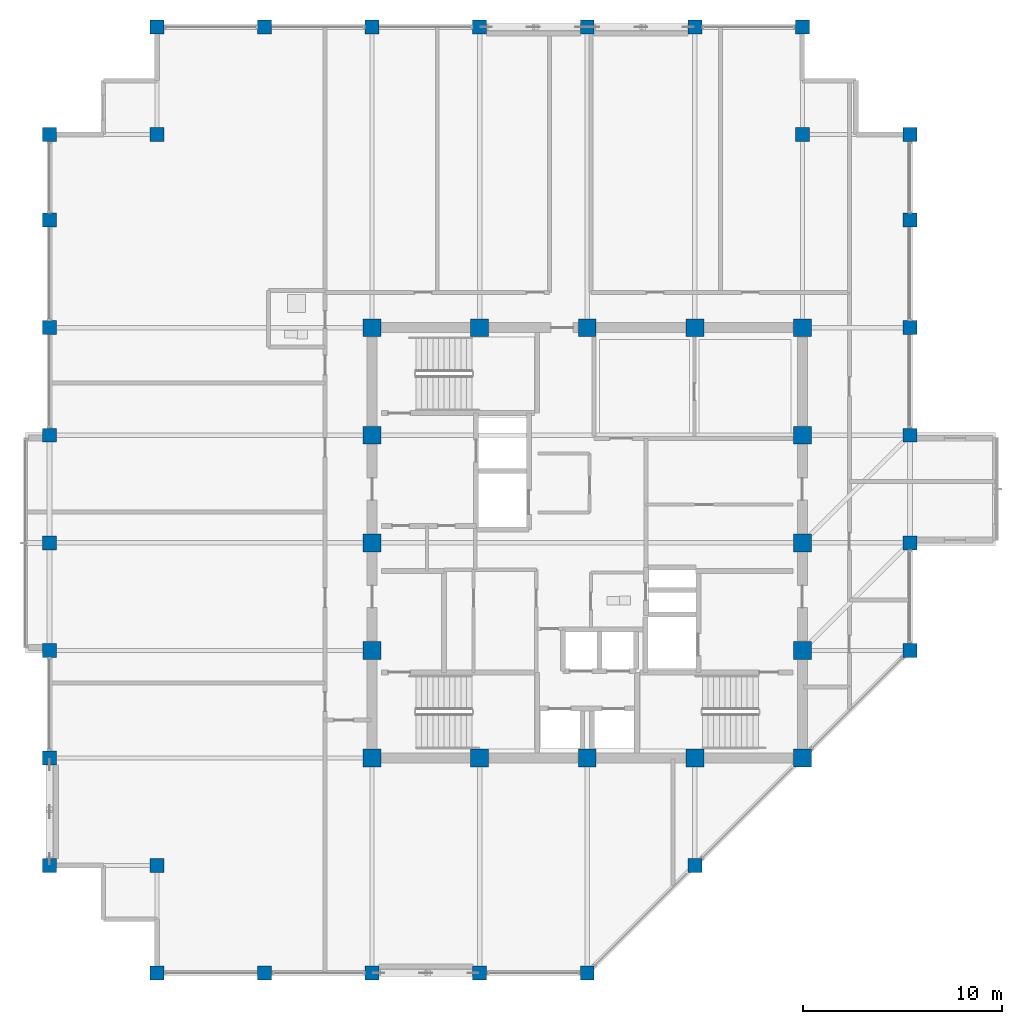
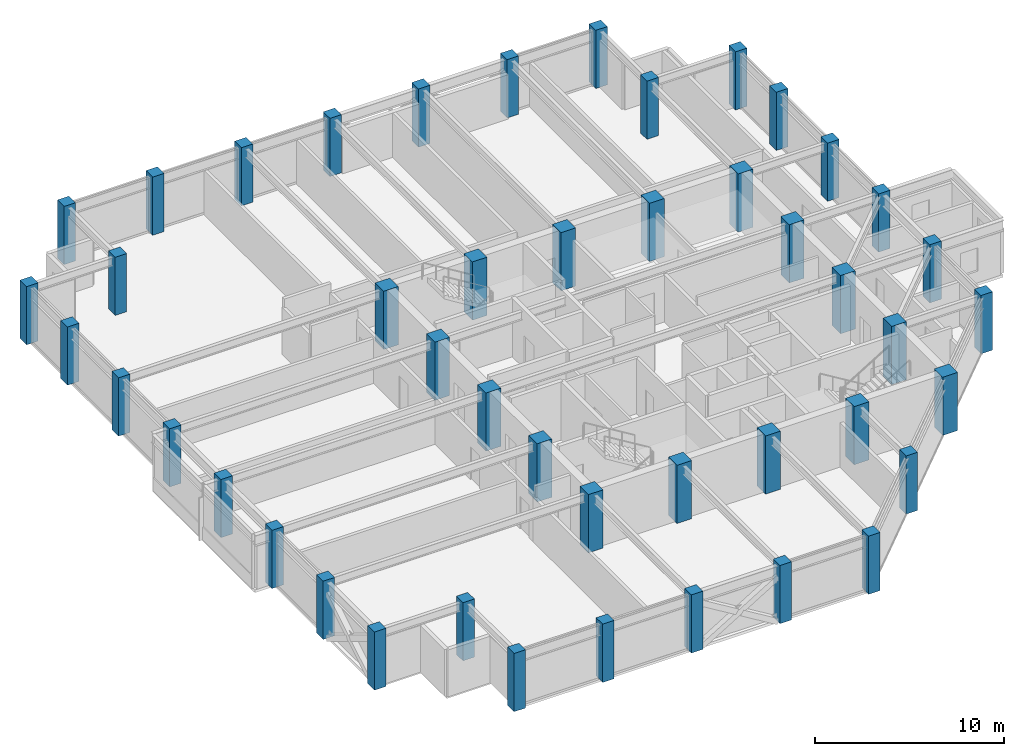
# One storey, part 1 of 32: 46 columns.
"""IFC4 building model written with IfcOpenShell, lengths in metres."""

from ifc_helpers import new_model, si_unit, direction, frame, origin, origin_2d, place, context, subcontext, project, spatial, rectangle, extrude, material, material_profile, profile_set, type_object, element, save


model = new_model("IFC4")

# Units and contexts
model_context = context("Model", 3, precision=1e-05, world=origin(), true_north=direction((0.0, 1.0)))
body_context = subcontext(model_context, "Body", "Model", "MODEL_VIEW")
ifc_project = project(units=[si_unit("LENGTHUNIT", "METRE"), si_unit("AREAUNIT", "SQUARE_METRE"), si_unit("VOLUMEUNIT", "CUBIC_METRE"), si_unit("PLANEANGLEUNIT", "RADIAN"), si_unit("MASSUNIT", "GRAM", prefix="KILO")], contexts=[model_context])

# Site, building, storey
site_placement = place(None, origin())
site = spatial("IfcSite", under=ifc_project, at=site_placement, CompositionType="ELEMENT")
building_placement = place(site_placement, origin())
building = spatial("IfcBuilding", under=site, at=building_placement, Name="Surkhivell Harbour Commons", CompositionType="ELEMENT")
storey_placement = place(building_placement, frame((0.0, 0.0, 311.25)))
storey = spatial("IfcBuildingStorey", under=building, at=storey_placement, Name="L81", CompositionType="ELEMENT", Elevation=311.25)

# Columns
ifc_material_1 = material(Name="Concrete C60/75", Category="concrete")
ifc_material_profile_1 = material_profile(ifc_material_1, rectangle(XDim=0.89990234375, YDim=0.89990234375, at=origin_2d()), Name="RC-COL-900x900")
ifc_profile_set_1 = profile_set([ifc_material_profile_1], Name="Concrete C60/75")
column_type_1 = type_object("IfcColumnType", Name="COL-TUBE-Z3A", PredefinedType="COLUMN", material=ifc_profile_set_1)
for number, where, z_axis, x_axis, name in (
    (1, (-10.800048828125, -10.800048828125, 0.0), (0.0, 0.0, 1.0), (1.0, 0.0, 0.0), "L81 Column CT-3A (-10.8,-10.8)"),
    (2, (-10.800048828125, -5.39990234375, 0.0), (0.0, 0.0, 1.0), (1.0, 0.0, 0.0), "L81 Column CT-3A (-10.8,-5.4)"),
    (3, (-10.800048828125, 0.0, 0.0), (0.0, 0.0, 1.0), (1.0, 0.0, 0.0), "L81 Column CT-3A (-10.8,0.0)"),
    (4, (-10.800048828125, 5.39990234375, 0.0), (0.0, 0.0, 1.0), (1.0, 0.0, 0.0), "L81 Column CT-3A (-10.8,5.4)"),
    (5, (-10.800048828125, 10.800048828125, 0.0), (0.0, 0.0, 1.0), (1.0, 0.0, 0.0), "L81 Column CT-3A (-10.8,10.8)"),
    (6, (-5.39990234375, -10.800048828125, 0.0), (0.0, 0.0, 1.0), (1.0, 0.0, 0.0), "L81 Column CT-3A (-5.4,-10.8)"),
    (7, (-5.39990234375, 10.800048828125, 0.0), (0.0, 0.0, 1.0), (1.0, 0.0, 0.0), "L81 Column CT-3A (-5.4,10.8)"),
    (8, (0.0, -10.800048828125, 0.0), (0.0, 0.0, 1.0), (1.0, 0.0, 0.0), "L81 Column CT-3A (0.0,-10.8)"),
    (9, (0.0, 10.800048828125, 0.0), (0.0, 0.0, 1.0), (1.0, 0.0, 0.0), "L81 Column CT-3A (0.0,10.8)"),
    (10, (5.39990234375, -10.800048828125, 0.0), (0.0, 0.0, 1.0), (1.0, 0.0, 0.0), "L81 Column CT-3A (5.4,-10.8)"),
    (11, (5.39990234375, 10.800048828125, 0.0), (0.0, 0.0, 1.0), (1.0, 0.0, 0.0), "L81 Column CT-3A (5.4,10.8)"),
    (12, (10.800048828125, -10.800048828125, 0.0), (0.0, 0.0, 1.0), (1.0, 0.0, 0.0), "L81 Column CT-3A (10.8,-10.8)"),
    (13, (10.800048828125, -5.39990234375, 0.0), (0.0, 0.0, 1.0), (1.0, 0.0, 0.0), "L81 Column CT-3A (10.8,-5.4)"),
    (14, (10.800048828125, 0.0, 0.0), (0.0, 0.0, 1.0), (1.0, 0.0, 0.0), "L81 Column CT-3A (10.8,0.0)"),
    (15, (10.800048828125, 5.39990234375, 0.0), (0.0, 0.0, 1.0), (1.0, 0.0, 0.0), "L81 Column CT-3A (10.8,5.4)"),
    (16, (10.800048828125, 10.800048828125, 0.0), (0.0, 0.0, 1.0), (1.0, 0.0, 0.0), "L81 Column CT-3A (10.8,10.8)"),
):
    element("IfcColumn", number, at=place(storey_placement, frame(where, z_axis=z_axis, x_axis=x_axis)), inside=storey, type_object=column_type_1, Name=name, PredefinedType="COLUMN", context=body_context, shape_type="SweptSolid", body=[
        extrude(rectangle(XDim=0.89990234375, YDim=0.89990234375, at=origin_2d()), origin(), (0.0, 0.0, 1.0), 3.75),
    ])
ifc_material_2 = material(Name="Concrete C50/60", Category="concrete")
ifc_material_profile_2 = material_profile(ifc_material_2, rectangle(XDim=0.699951171875, YDim=0.699951171875, at=origin_2d()), Name="RC-COL-700x700")
ifc_profile_set_2 = profile_set([ifc_material_profile_2], Name="Concrete C50/60")
column_type_2 = type_object("IfcColumnType", Name="COL-TUBE-Z4", PredefinedType="COLUMN", material=ifc_profile_set_2)
for number, where, z_axis, x_axis, name in (
    (17, (-27.0, -16.199951171875, 0.0), (0.0, 0.0, 1.0), (1.0, 0.0, 0.0), "L81 Column CT-4 (-27.0,-16.2)"),
    (18, (-27.0, -10.800048828125, 0.0), (0.0, 0.0, 1.0), (1.0, 0.0, 0.0), "L81 Column CT-4 (-27.0,-10.8)"),
    (19, (-27.0, -5.39990234375, 0.0), (0.0, 0.0, 1.0), (1.0, 0.0, 0.0), "L81 Column CT-4 (-27.0,-5.4)"),
    (20, (-27.0, 0.0, 0.0), (0.0, 0.0, 1.0), (1.0, 0.0, 0.0), "L81 Column CT-4 (-27.0,0.0)"),
    (21, (-27.0, 5.39990234375, 0.0), (0.0, 0.0, 1.0), (1.0, 0.0, 0.0), "L81 Column CT-4 (-27.0,5.4)"),
    (22, (-27.0, 10.800048828125, 0.0), (0.0, 0.0, 1.0), (1.0, 0.0, 0.0), "L81 Column CT-4 (-27.0,10.8)"),
    (23, (-27.0, 16.199951171875, 0.0), (0.0, 0.0, 1.0), (1.0, 0.0, 0.0), "L81 Column CT-4 (-27.0,16.2)"),
    (24, (-27.0, 20.5, 0.0), (0.0, 0.0, 1.0), (1.0, 0.0, 0.0), "L81 Column CT-4 (-27.0,20.5)"),
    (25, (-21.60009765625, -21.60009765625, 0.0), (0.0, 0.0, 1.0), (1.0, 0.0, 0.0), "L81 Column CT-4 (-21.6,-21.6)"),
    (26, (-21.60009765625, -16.199951171875, 0.0), (0.0, 0.0, 1.0), (1.0, 0.0, 0.0), "L81 Column CT-4 (-21.6,-16.2)"),
    (27, (-21.60009765625, 20.5, 0.0), (0.0, 0.0, 1.0), (1.0, 0.0, 0.0), "L81 Column CT-4 (-21.6,20.5)"),
    (28, (-21.60009765625, 25.89990234375, 0.0), (0.0, 0.0, 1.0), (1.0, 0.0, 0.0), "L81 Column CT-4 (-21.6,25.9)"),
    (29, (-16.199951171875, -21.60009765625, 0.0), (0.0, 0.0, 1.0), (1.0, 0.0, 0.0), "L81 Column CT-4 (-16.2,-21.6)"),
    (30, (-16.199951171875, 25.89990234375, 0.0), (0.0, 0.0, 1.0), (1.0, 0.0, 0.0), "L81 Column CT-4 (-16.2,25.9)"),
    (31, (-10.800048828125, -21.60009765625, 0.0), (0.0, 0.0, 1.0), (1.0, 0.0, 0.0), "L81 Column CT-4 (-10.8,-21.6)"),
    (32, (-10.800048828125, 25.89990234375, 0.0), (0.0, 0.0, 1.0), (1.0, 0.0, 0.0), "L81 Column CT-4 (-10.8,25.9)"),
    (33, (-5.39990234375, -21.60009765625, 0.0), (0.0, 0.0, 1.0), (1.0, 0.0, 0.0), "L81 Column CT-4 (-5.4,-21.6)"),
    (34, (-5.39990234375, 25.89990234375, 0.0), (0.0, 0.0, 1.0), (1.0, 0.0, 0.0), "L81 Column CT-4 (-5.4,25.9)"),
    (35, (0.0, -21.60009765625, 0.0), (0.0, 0.0, 1.0), (1.0, 0.0, 0.0), "L81 Column CT-4 (-0.0,-21.6)"),
    (36, (0.0, 25.89990234375, 0.0), (0.0, 0.0, 1.0), (1.0, 0.0, 0.0), "L81 Column CT-4 (-0.0,25.9)"),
    (37, (5.39990234375, -16.199951171875, 0.0), (0.0, 0.0, 1.0), (1.0, 0.0, 0.0), "L81 Column CT-4 (5.4,-16.2)"),
    (38, (5.39990234375, 25.89990234375, 0.0), (0.0, 0.0, 1.0), (1.0, 0.0, 0.0), "L81 Column CT-4 (5.4,25.9)"),
    (39, (10.800048828125, 20.5, 0.0), (0.0, 0.0, 1.0), (1.0, 0.0, 0.0), "L81 Column CT-4 (10.8,20.5)"),
    (40, (10.800048828125, 25.89990234375, 0.0), (0.0, 0.0, 1.0), (1.0, 0.0, 0.0), "L81 Column CT-4 (10.8,25.9)"),
    (41, (16.199951171875, -5.39990234375, 0.0), (0.0, 0.0, 1.0), (1.0, 0.0, 0.0), "L81 Column CT-4 (16.2,-5.4)"),
    (42, (16.199951171875, 0.0, 0.0), (0.0, 0.0, 1.0), (1.0, 0.0, 0.0), "L81 Column CT-4 (16.2,0.0)"),
    (43, (16.199951171875, 5.39990234375, 0.0), (0.0, 0.0, 1.0), (1.0, 0.0, 0.0), "L81 Column CT-4 (16.2,5.4)"),
    (44, (16.199951171875, 10.800048828125, 0.0), (0.0, 0.0, 1.0), (1.0, 0.0, 0.0), "L81 Column CT-4 (16.2,10.8)"),
    (45, (16.199951171875, 16.199951171875, 0.0), (0.0, 0.0, 1.0), (1.0, 0.0, 0.0), "L81 Column CT-4 (16.2,16.2)"),
    (46, (16.199951171875, 20.5, 0.0), (0.0, 0.0, 1.0), (1.0, 0.0, 0.0), "L81 Column CT-4 (16.2,20.5)"),
):
    element("IfcColumn", number, at=place(storey_placement, frame(where, z_axis=z_axis, x_axis=x_axis)), inside=storey, type_object=column_type_2, Name=name, PredefinedType="COLUMN", context=body_context, shape_type="SweptSolid", body=[
        extrude(rectangle(XDim=0.699951171875, YDim=0.699951171875, at=origin_2d()), origin(), (0.0, 0.0, 1.0), 3.75),
    ])

save(model, "model.ifc")
